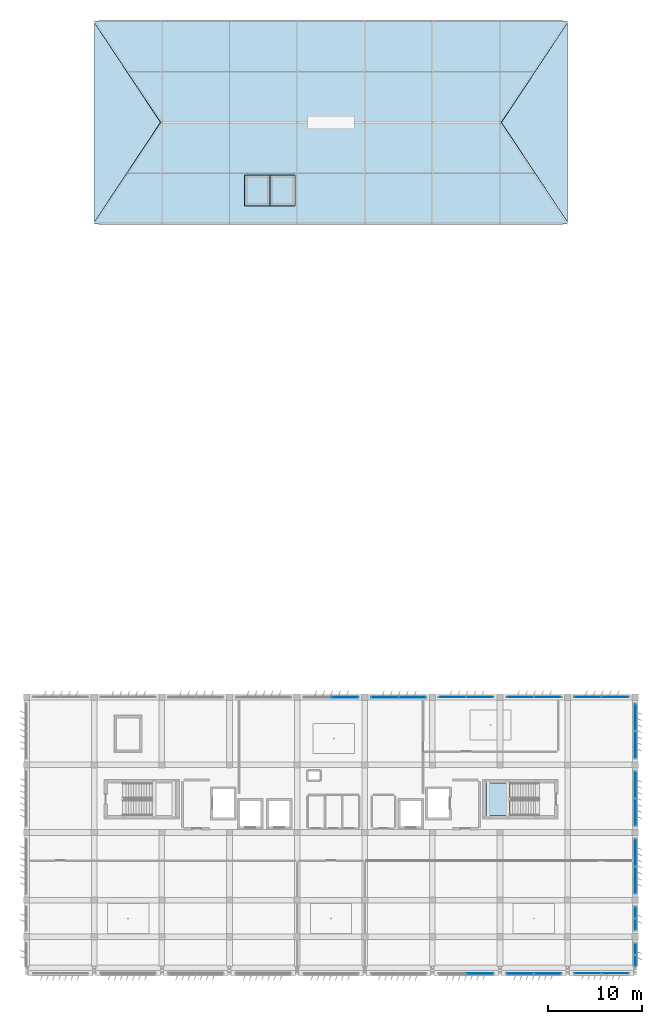
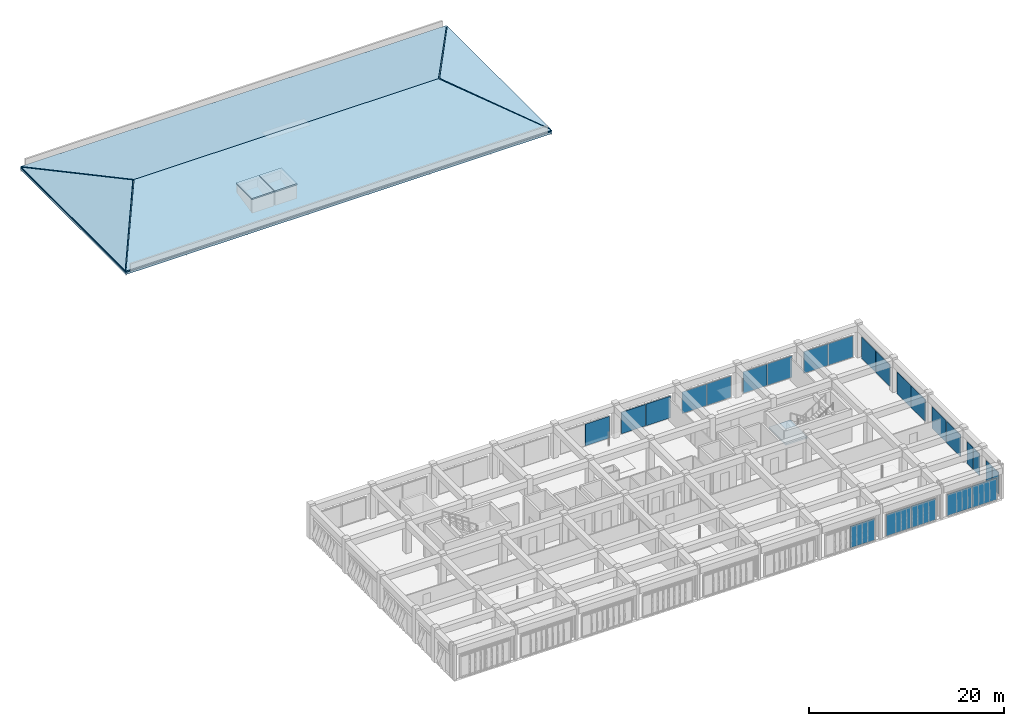
# One storey, part 32 of 53: 24 plates, 8 slabs, 14 elements without a shape of their own.
"""IFC4 building model written with IfcOpenShell, lengths in metres."""

from ifc_helpers import new_model, si_unit, direction, frame, origin, origin_2d, place, context, subcontext, project, spatial, polyline, rectangle, outline, extrude, material, layer, layer_set, type_object, element, aggregate, save


model = new_model("IFC4")

# Units and contexts
model_context = context("Model", 3, precision=1e-05, world=origin(), true_north=direction((0.0, 1.0)))
body_context = subcontext(model_context, "Body", "Model", "MODEL_VIEW")
ifc_project = project(units=[si_unit("LENGTHUNIT", "METRE"), si_unit("AREAUNIT", "SQUARE_METRE"), si_unit("VOLUMEUNIT", "CUBIC_METRE"), si_unit("PLANEANGLEUNIT", "RADIAN"), si_unit("MASSUNIT", "GRAM", prefix="KILO")], contexts=[model_context])

# Site, building, storey
site_placement = place(None, origin())
site = spatial("IfcSite", under=ifc_project, at=site_placement, CompositionType="ELEMENT")
building_placement = place(site_placement, origin())
building = spatial("IfcBuilding", under=site, at=building_placement, Name="Kazehaya Institute of Natural Sciences", CompositionType="ELEMENT")
storey_placement = place(building_placement, frame((0.0, 0.0, 33.300048828125)))
storey = spatial("IfcBuildingStorey", under=building, at=storey_placement, Name="L07", CompositionType="ELEMENT", Elevation=33.300048828125)

# Curtain wall, plates
ifc_material_1 = material(Name="Aluminium alloy A6063S-T5", Category="aluminium")
curtain_wall_type_1 = type_object("IfcCurtainWallType", Name="CW-SYS-05", PredefinedType="NOTDEFINED", material=ifc_material_1)
curtain_wall_1_placement = place(storey_placement, origin())
curtain_wall_1 = element("IfcCurtainWall", 1, at=curtain_wall_1_placement, inside=storey, type_object=curtain_wall_type_1, Name="L07 unitised curtain wall CW-L07-148", PredefinedType="NOTDEFINED")
ifc_material_2 = material(Name="Low-E double-glazed vision glass", Category="glass")
ifc_layer_1 = layer(ifc_material_2, 0.030029296875, Name="Low-E double-glazed vision glass", Category="glass")
ifc_layer_set_1 = layer_set([ifc_layer_1], Name="Low-E double-glazed vision glass")
plate_type_1 = type_object("IfcPlateType", Name="CWP-01", PredefinedType="CURTAIN_PANEL", material=ifc_layer_set_1)
plate_1_placement = place(storey_placement, frame((117.264892578125, 6.199951171875, 0.06005859375), z_axis=(0.0, 0.0, 1.0), x_axis=(-1.0, 0.0, 0.0)))
plate_1 = element("IfcPlate", 2, at=plate_1_placement, type_object=plate_type_1, Name="CW05 panel 1.1", PredefinedType="CURTAIN_PANEL", context=body_context, shape_type="SweptSolid", body=[
    extrude(rectangle(XDim=2.8701171875, YDim=0.030029296875, at=origin_2d()), origin(), (0.0, 0.0, 1.0), 2.699951171875),
])
plate_2_placement = place(storey_placement, frame((114.3349609375, 6.199951171875, 0.06005859375), z_axis=(0.0, 0.0, 1.0), x_axis=(-1.0, 0.0, 0.0)))
plate_2 = element("IfcPlate", 3, at=plate_2_placement, type_object=plate_type_1, Name="CW05 panel 2.1", PredefinedType="CURTAIN_PANEL", context=body_context, shape_type="SweptSolid", body=[
    extrude(rectangle(XDim=2.8701171875, YDim=0.030029296875, at=origin_2d()), origin(), (0.0, 0.0, 1.0), 2.699951171875),
])
aggregate(curtain_wall_1, [plate_1, plate_2])

curtain_wall_2_placement = place(storey_placement, origin())
curtain_wall_2 = element("IfcCurtainWall", 4, at=curtain_wall_2_placement, inside=storey, type_object=curtain_wall_type_1, Name="L07 unitised curtain wall CW-L07-163", PredefinedType="NOTDEFINED")
plate_3_placement = place(storey_placement, frame((99.93505859375, 35.60009765625, 0.06005859375), z_axis=(0.0, 0.0, 1.0), x_axis=(1.0, 0.0, 0.0)))
plate_3 = element("IfcPlate", 5, at=plate_3_placement, type_object=plate_type_1, Name="CW05 panel 1.1", PredefinedType="CURTAIN_PANEL", context=body_context, shape_type="SweptSolid", body=[
    extrude(rectangle(XDim=2.8701171875, YDim=0.030029296875, at=origin_2d()), origin(), (0.0, 0.0, 1.0), 2.699951171875),
])
plate_4_placement = place(storey_placement, frame((102.864990234375, 35.60009765625, 0.06005859375), z_axis=(0.0, 0.0, 1.0), x_axis=(1.0, 0.0, 0.0)))
plate_4 = element("IfcPlate", 6, at=plate_4_placement, type_object=plate_type_1, Name="CW05 panel 2.1", PredefinedType="CURTAIN_PANEL", context=body_context, shape_type="SweptSolid", body=[
    extrude(rectangle(XDim=2.8701171875, YDim=0.030029296875, at=origin_2d()), origin(), (0.0, 0.0, 1.0), 2.699951171875),
])
aggregate(curtain_wall_2, [plate_3, plate_4])

curtain_wall_3_placement = place(storey_placement, origin())
curtain_wall_3 = element("IfcCurtainWall", 7, at=curtain_wall_3_placement, inside=storey, type_object=curtain_wall_type_1, Name="L07 unitised curtain wall CW-L07-149", PredefinedType="NOTDEFINED")
ifc_layer_2 = layer(ifc_material_2, 0.0400390625, Name="Low-E double-glazed vision glass", Category="glass")
ifc_layer_set_2 = layer_set([ifc_layer_2], Name="Low-E double-glazed vision glass")
plate_type_2 = type_object("IfcPlateType", Name="CWP-02", PredefinedType="CURTAIN_PANEL", material=ifc_layer_set_2)
plate_5_placement = place(storey_placement, frame((110.06494140625, 6.199951171875, 0.06005859375), z_axis=(0.0, 0.0, 1.0), x_axis=(-1.0, 0.0, 0.0)))
plate_5 = element("IfcPlate", 8, at=plate_5_placement, type_object=plate_type_2, Name="CW05 panel 1.1", PredefinedType="CURTAIN_PANEL", context=body_context, shape_type="SweptSolid", body=[
    extrude(rectangle(XDim=2.8701171875, YDim=0.0400390625, at=origin_2d()), origin(), (0.0, 0.0, 1.0), 2.699951171875),
])
plate_6_placement = place(storey_placement, frame((107.135009765625, 6.199951171875, 0.06005859375), z_axis=(0.0, 0.0, 1.0), x_axis=(-1.0, 0.0, 0.0)))
plate_6 = element("IfcPlate", 9, at=plate_6_placement, type_object=plate_type_2, Name="CW05 panel 2.1", PredefinedType="CURTAIN_PANEL", context=body_context, shape_type="SweptSolid", body=[
    extrude(rectangle(XDim=2.8701171875, YDim=0.0400390625, at=origin_2d()), origin(), (0.0, 0.0, 1.0), 2.699951171875),
])
aggregate(curtain_wall_3, [plate_5, plate_6])

curtain_wall_4_placement = place(storey_placement, origin())
curtain_wall_4 = element("IfcCurtainWall", 10, at=curtain_wall_4_placement, inside=storey, type_object=curtain_wall_type_1, Name="L07 unitised curtain wall CW-L07-164", PredefinedType="NOTDEFINED")
plate_7_placement = place(storey_placement, frame((107.135009765625, 35.60009765625, 0.06005859375), z_axis=(0.0, 0.0, 1.0), x_axis=(1.0, 0.0, 0.0)))
plate_7 = element("IfcPlate", 11, at=plate_7_placement, type_object=plate_type_2, Name="CW05 panel 1.1", PredefinedType="CURTAIN_PANEL", context=body_context, shape_type="SweptSolid", body=[
    extrude(rectangle(XDim=2.8701171875, YDim=0.0400390625, at=origin_2d()), origin(), (0.0, 0.0, 1.0), 2.699951171875),
])
plate_8_placement = place(storey_placement, frame((110.06494140625, 35.60009765625, 0.06005859375), z_axis=(0.0, 0.0, 1.0), x_axis=(1.0, 0.0, 0.0)))
plate_8 = element("IfcPlate", 12, at=plate_8_placement, type_object=plate_type_2, Name="CW05 panel 2.1", PredefinedType="CURTAIN_PANEL", context=body_context, shape_type="SweptSolid", body=[
    extrude(rectangle(XDim=2.8701171875, YDim=0.0400390625, at=origin_2d()), origin(), (0.0, 0.0, 1.0), 2.699951171875),
])
aggregate(curtain_wall_4, [plate_7, plate_8])

# Curtain wall, plate
curtain_wall_5_placement = place(storey_placement, origin())
curtain_wall_5 = element("IfcCurtainWall", 13, at=curtain_wall_5_placement, inside=storey, type_object=curtain_wall_type_1, Name="L07 unitised curtain wall CW-L07-150", PredefinedType="NOTDEFINED")
ifc_layer_3 = layer(ifc_material_2, 0.050048828125, Name="Low-E double-glazed vision glass", Category="glass")
ifc_layer_set_3 = layer_set([ifc_layer_3], Name="Low-E double-glazed vision glass")
plate_type_3 = type_object("IfcPlateType", Name="CWP-03", PredefinedType="CURTAIN_PANEL", material=ifc_layer_set_3)
plate_9_placement = place(storey_placement, frame((102.864990234375, 6.199951171875, 0.06005859375), z_axis=(0.0, 0.0, 1.0), x_axis=(-1.0, 0.0, 0.0)))
plate_9 = element("IfcPlate", 14, at=plate_9_placement, type_object=plate_type_3, Name="CW05 panel 1.1", PredefinedType="CURTAIN_PANEL", context=body_context, shape_type="SweptSolid", body=[
    extrude(rectangle(XDim=2.8701171875, YDim=0.050048828125, at=origin_2d()), origin(), (0.0, 0.0, 1.0), 2.699951171875),
])
aggregate(curtain_wall_5, [plate_9])

# Curtain wall, plates
curtain_wall_6_placement = place(storey_placement, origin())
curtain_wall_6 = element("IfcCurtainWall", 15, at=curtain_wall_6_placement, inside=storey, type_object=curtain_wall_type_1, Name="L07 unitised curtain wall CW-L07-165", PredefinedType="NOTDEFINED")
plate_10_placement = place(storey_placement, frame((114.3349609375, 35.60009765625, 0.06005859375), z_axis=(0.0, 0.0, 1.0), x_axis=(1.0, 0.0, 0.0)))
plate_10 = element("IfcPlate", 16, at=plate_10_placement, type_object=plate_type_3, Name="CW05 panel 1.1", PredefinedType="CURTAIN_PANEL", context=body_context, shape_type="SweptSolid", body=[
    extrude(rectangle(XDim=2.8701171875, YDim=0.050048828125, at=origin_2d()), origin(), (0.0, 0.0, 1.0), 2.699951171875),
])
plate_11_placement = place(storey_placement, frame((117.264892578125, 35.60009765625, 0.06005859375), z_axis=(0.0, 0.0, 1.0), x_axis=(1.0, 0.0, 0.0)))
plate_11 = element("IfcPlate", 17, at=plate_11_placement, type_object=plate_type_3, Name="CW05 panel 2.1", PredefinedType="CURTAIN_PANEL", context=body_context, shape_type="SweptSolid", body=[
    extrude(rectangle(XDim=2.8701171875, YDim=0.050048828125, at=origin_2d()), origin(), (0.0, 0.0, 1.0), 2.699951171875),
])
aggregate(curtain_wall_6, [plate_10, plate_11])

curtain_wall_type_2 = type_object("IfcCurtainWallType", Name="CW-SYS-09", PredefinedType="NOTDEFINED", material=ifc_material_1)
curtain_wall_7_placement = place(storey_placement, origin())
curtain_wall_7 = element("IfcCurtainWall", 18, at=curtain_wall_7_placement, inside=storey, type_object=curtain_wall_type_2, Name="L07 unitised curtain wall CW-L07-167", PredefinedType="NOTDEFINED")
ifc_material_3 = material(Name="Insulated bronze aluminium spandrel panel", Category="aluminium")
ifc_layer_4 = layer(ifc_material_3, 0.080078125, Name="Insulated bronze aluminium spandrel panel", Category="aluminium")
ifc_layer_set_4 = layer_set([ifc_layer_4], Name="Insulated bronze aluminium spandrel panel")
plate_type_4 = type_object("IfcPlateType", Name="CWP-06", PredefinedType="CURTAIN_PANEL", material=ifc_layer_set_4)
plate_12_placement = place(storey_placement, frame((119.39990234375, 8.7900390625, 0.06005859375), z_axis=(0.0, 0.0, 1.0), x_axis=(0.0, -1.0, 0.0)))
plate_12 = element("IfcPlate", 19, at=plate_12_placement, type_object=plate_type_4, Name="CW09 panel 1.1", PredefinedType="CURTAIN_PANEL", context=body_context, shape_type="SweptSolid", body=[
    extrude(rectangle(XDim=1.219970703125, YDim=0.080078125, at=origin_2d()), origin(), (0.0, 0.0, 1.0), 2.699951171875),
])
plate_13_placement = place(storey_placement, frame((119.39990234375, 7.510009765625, 0.06005859375), z_axis=(0.0, 0.0, 1.0), x_axis=(0.0, -1.0, 0.0)))
plate_13 = element("IfcPlate", 20, at=plate_13_placement, type_object=plate_type_4, Name="CW09 panel 2.1", PredefinedType="CURTAIN_PANEL", context=body_context, shape_type="SweptSolid", body=[
    extrude(rectangle(XDim=1.219970703125, YDim=0.080078125, at=origin_2d()), origin(), (0.0, 0.0, 1.0), 2.699951171875),
])
aggregate(curtain_wall_7, [plate_12, plate_13])

curtain_wall_8_placement = place(storey_placement, origin())
curtain_wall_8 = element("IfcCurtainWall", 21, at=curtain_wall_8_placement, inside=storey, type_object=curtain_wall_type_2, Name="L07 unitised curtain wall CW-L07-169", PredefinedType="NOTDEFINED")
plate_14_placement = place(storey_placement, frame((119.39990234375, 12.68994140625, 0.06005859375), z_axis=(0.0, 0.0, 1.0), x_axis=(0.0, -1.0, 0.0)))
plate_14 = element("IfcPlate", 22, at=plate_14_placement, type_object=plate_type_4, Name="CW09 panel 1.1", PredefinedType="CURTAIN_PANEL", context=body_context, shape_type="SweptSolid", body=[
    extrude(rectangle(XDim=1.219970703125, YDim=0.080078125, at=origin_2d()), origin(), (0.0, 0.0, 1.0), 2.699951171875),
])
plate_15_placement = place(storey_placement, frame((119.39990234375, 11.409912109375, 0.06005859375), z_axis=(0.0, 0.0, 1.0), x_axis=(0.0, -1.0, 0.0)))
plate_15 = element("IfcPlate", 23, at=plate_15_placement, type_object=plate_type_4, Name="CW09 panel 2.1", PredefinedType="CURTAIN_PANEL", context=body_context, shape_type="SweptSolid", body=[
    extrude(rectangle(XDim=1.219970703125, YDim=0.080078125, at=origin_2d()), origin(), (0.0, 0.0, 1.0), 2.699951171875),
])
aggregate(curtain_wall_8, [plate_14, plate_15])

curtain_wall_type_3 = type_object("IfcCurtainWallType", Name="CW-SYS-10", PredefinedType="NOTDEFINED", material=ifc_material_1)
curtain_wall_9_placement = place(storey_placement, origin())
curtain_wall_9 = element("IfcCurtainWall", 24, at=curtain_wall_9_placement, inside=storey, type_object=curtain_wall_type_3, Name="L07 unitised curtain wall CW-L07-171", PredefinedType="NOTDEFINED")
plate_16_placement = place(storey_placement, frame((119.39990234375, 19.06494140625, 0.06005859375), z_axis=(0.0, 0.0, 1.0), x_axis=(0.0, -1.0, 0.0)))
plate_16 = element("IfcPlate", 25, at=plate_16_placement, type_object=plate_type_4, Name="CW10 panel 1.1", PredefinedType="CURTAIN_PANEL", context=body_context, shape_type="SweptSolid", body=[
    extrude(rectangle(XDim=2.8701171875, YDim=0.080078125, at=origin_2d()), origin(), (0.0, 0.0, 1.0), 2.699951171875),
])
plate_17_placement = place(storey_placement, frame((119.39990234375, 16.135009765625, 0.06005859375), z_axis=(0.0, 0.0, 1.0), x_axis=(0.0, -1.0, 0.0)))
plate_17 = element("IfcPlate", 26, at=plate_17_placement, type_object=plate_type_4, Name="CW10 panel 2.1", PredefinedType="CURTAIN_PANEL", context=body_context, shape_type="SweptSolid", body=[
    extrude(rectangle(XDim=2.8701171875, YDim=0.080078125, at=origin_2d()), origin(), (0.0, 0.0, 1.0), 2.699951171875),
])
aggregate(curtain_wall_9, [plate_16, plate_17])

curtain_wall_10_placement = place(storey_placement, origin())
curtain_wall_10 = element("IfcCurtainWall", 27, at=curtain_wall_10_placement, inside=storey, type_object=curtain_wall_type_3, Name="L07 unitised curtain wall CW-L07-173", PredefinedType="NOTDEFINED")
plate_18_placement = place(storey_placement, frame((119.39990234375, 26.264892578125, 0.06005859375), z_axis=(0.0, 0.0, 1.0), x_axis=(0.0, -1.0, 0.0)))
plate_18 = element("IfcPlate", 28, at=plate_18_placement, type_object=plate_type_4, Name="CW10 panel 1.1", PredefinedType="CURTAIN_PANEL", context=body_context, shape_type="SweptSolid", body=[
    extrude(rectangle(XDim=2.8701171875, YDim=0.080078125, at=origin_2d()), origin(), (0.0, 0.0, 1.0), 2.699951171875),
])
plate_19_placement = place(storey_placement, frame((119.39990234375, 23.3349609375, 0.06005859375), z_axis=(0.0, 0.0, 1.0), x_axis=(0.0, -1.0, 0.0)))
plate_19 = element("IfcPlate", 29, at=plate_19_placement, type_object=plate_type_4, Name="CW10 panel 2.1", PredefinedType="CURTAIN_PANEL", context=body_context, shape_type="SweptSolid", body=[
    extrude(rectangle(XDim=2.8701171875, YDim=0.080078125, at=origin_2d()), origin(), (0.0, 0.0, 1.0), 2.699951171875),
])
aggregate(curtain_wall_10, [plate_18, plate_19])

curtain_wall_11_placement = place(storey_placement, origin())
curtain_wall_11 = element("IfcCurtainWall", 30, at=curtain_wall_11_placement, inside=storey, type_object=curtain_wall_type_3, Name="L07 unitised curtain wall CW-L07-175", PredefinedType="NOTDEFINED")
plate_20_placement = place(storey_placement, frame((119.39990234375, 33.465087890625, 0.06005859375), z_axis=(0.0, 0.0, 1.0), x_axis=(0.0, -1.0, 0.0)))
plate_20 = element("IfcPlate", 31, at=plate_20_placement, type_object=plate_type_4, Name="CW10 panel 1.1", PredefinedType="CURTAIN_PANEL", context=body_context, shape_type="SweptSolid", body=[
    extrude(rectangle(XDim=2.8701171875, YDim=0.080078125, at=origin_2d()), origin(), (0.0, 0.0, 1.0), 2.699951171875),
])
plate_21_placement = place(storey_placement, frame((119.39990234375, 30.534912109375, 0.06005859375), z_axis=(0.0, 0.0, 1.0), x_axis=(0.0, -1.0, 0.0)))
plate_21 = element("IfcPlate", 32, at=plate_21_placement, type_object=plate_type_4, Name="CW10 panel 2.1", PredefinedType="CURTAIN_PANEL", context=body_context, shape_type="SweptSolid", body=[
    extrude(rectangle(XDim=2.8701171875, YDim=0.080078125, at=origin_2d()), origin(), (0.0, 0.0, 1.0), 2.699951171875),
])
aggregate(curtain_wall_11, [plate_20, plate_21])

# Curtain wall, plate
curtain_wall_12_placement = place(storey_placement, origin())
curtain_wall_12 = element("IfcCurtainWall", 33, at=curtain_wall_12_placement, inside=storey, type_object=curtain_wall_type_1, Name="L07 unitised curtain wall CW-L07-161", PredefinedType="NOTDEFINED")
ifc_layer_5 = layer(ifc_material_3, 0.090087890625, Name="Insulated bronze aluminium spandrel panel", Category="aluminium")
ifc_layer_set_5 = layer_set([ifc_layer_5], Name="Insulated bronze aluminium spandrel panel")
plate_type_5 = type_object("IfcPlateType", Name="CWP-07", PredefinedType="CURTAIN_PANEL", material=ifc_layer_set_5)
plate_22_placement = place(storey_placement, frame((88.465087890625, 35.60009765625, 0.06005859375), z_axis=(0.0, 0.0, 1.0), x_axis=(1.0, 0.0, 0.0)))
plate_22 = element("IfcPlate", 34, at=plate_22_placement, type_object=plate_type_5, Name="CW05 panel 2.1", PredefinedType="CURTAIN_PANEL", context=body_context, shape_type="SweptSolid", body=[
    extrude(rectangle(XDim=2.8701171875, YDim=0.090087890625, at=origin_2d()), origin(), (0.0, 0.0, 1.0), 2.699951171875),
])
aggregate(curtain_wall_12, [plate_22])

# Curtain wall, plates
curtain_wall_13_placement = place(storey_placement, origin())
curtain_wall_13 = element("IfcCurtainWall", 35, at=curtain_wall_13_placement, inside=storey, type_object=curtain_wall_type_1, Name="L07 unitised curtain wall CW-L07-162", PredefinedType="NOTDEFINED")
ifc_layer_6 = layer(ifc_material_3, 0.10009765625, Name="Insulated bronze aluminium spandrel panel", Category="aluminium")
ifc_layer_set_6 = layer_set([ifc_layer_6], Name="Insulated bronze aluminium spandrel panel")
plate_type_6 = type_object("IfcPlateType", Name="CWP-08", PredefinedType="CURTAIN_PANEL", material=ifc_layer_set_6)
plate_23_placement = place(storey_placement, frame((92.735107421875, 35.60009765625, 0.06005859375), z_axis=(0.0, 0.0, 1.0), x_axis=(1.0, 0.0, 0.0)))
plate_23 = element("IfcPlate", 36, at=plate_23_placement, type_object=plate_type_6, Name="CW05 panel 1.1", PredefinedType="CURTAIN_PANEL", context=body_context, shape_type="SweptSolid", body=[
    extrude(rectangle(XDim=2.8701171875, YDim=0.10009765625, at=origin_2d()), origin(), (0.0, 0.0, 1.0), 2.699951171875),
])
plate_24_placement = place(storey_placement, frame((95.6650390625, 35.60009765625, 0.06005859375), z_axis=(0.0, 0.0, 1.0), x_axis=(1.0, 0.0, 0.0)))
plate_24 = element("IfcPlate", 37, at=plate_24_placement, type_object=plate_type_6, Name="CW05 panel 2.1", PredefinedType="CURTAIN_PANEL", context=body_context, shape_type="SweptSolid", body=[
    extrude(rectangle(XDim=2.8701171875, YDim=0.10009765625, at=origin_2d()), origin(), (0.0, 0.0, 1.0), 2.699951171875),
])
aggregate(curtain_wall_13, [plate_23, plate_24])

# Stair, slab
ifc_material_4 = material(Name="Concrete Fc36", Category="concrete")
stair_type = type_object("IfcStairType", Name="STR-DOG-4320", PredefinedType="HALF_TURN_STAIR", material=ifc_material_4)
stair_placement = place(storey_placement, origin())
stair = element("IfcStair", 38, at=stair_placement, inside=storey, type_object=stair_type, Name="L07 Protected Escape Stair ST-2", PredefinedType="HALF_TURN_STAIR")
ifc_layer_7 = layer(ifc_material_4, 0.159912109375, Name="Concrete Fc36", Category="concrete")
ifc_layer_set_7 = layer_set([ifc_layer_7], Name="Concrete Fc36")
slab_type_1 = type_object("IfcSlabType", Name="SL-LND-160", PredefinedType="LANDING", material=ifc_layer_set_7)
slab_1_placement = place(storey_placement, frame((0.0, 0.0, 1.9599609375)))
slab_1 = element("IfcSlab", 39, at=slab_1_placement, type_object=slab_type_1, Name="ST-2 landing 1", PredefinedType="LANDING", context=body_context, shape_type="SweptSolid", body=[
    extrude(outline(polyline([(106.06005859375, 26.47998046875), (103.5, 26.47998046875), (103.5, 23.0), (106.06005859375, 23.0), (106.06005859375, 26.47998046875)])), origin(), (0.0, 0.0, 1.0), 0.199951171875),
])
aggregate(stair, [slab_1])

# Slabs
ifc_layer_8 = layer(ifc_material_4, 0.169921875, Name="Concrete Fc36", Category="concrete")
ifc_layer_set_8 = layer_set([ifc_layer_8], Name="Concrete Fc36")
slab_type_2 = type_object("IfcSlabType", Name="SL-ROF-170", PredefinedType="ROOF", material=ifc_layer_set_8)
for number, where, z_axis, x_axis, name in (
    (40, (61.800048828125, 86.0, 0.169921875), (0.0, -0.216437367496, 0.976296505141), (1.0, 0.0, 0.0), "ROOF-VOL5 south pitched roof slab"),
    (41, (112.199951171875, 107.60009765625, 0.169921875), (0.0, 0.216437367496, 0.976296505141), (-1.0, 0.0, 0.0), "ROOF-VOL5 north pitched roof slab"),
):
    element("IfcSlab", number, at=place(storey_placement, frame(where, z_axis=z_axis, x_axis=x_axis)), inside=storey, type_object=slab_type_2, Name=name, PredefinedType="ROOF", context=body_context, shape_type="SweptSolid", body=[
        extrude(outline(polyline([(0.0, 0.0), (50.39990234375, 0.0), (43.199951171875, 11.06226312523814), (7.199951171875, 11.06226312523814), (0.0, 0.0)])), origin(), (0.0, 0.0, -1.0), 0.169921875),
    ])
slab_2_placement = place(storey_placement, frame((61.800048828125, 107.43994140625, 0.169921875), z_axis=(-0.321983958722, 0.0, 0.946745124268), x_axis=(0.0, -1.0, 0.0)))
element("IfcSlab", 42, at=slab_2_placement, inside=storey, type_object=slab_type_2, Name="ROOF-VOL5 west hip pitched roof slab", PredefinedType="ROOF", context=body_context, shape_type="SweptSolid", body=[
    extrude(outline(polyline([(0.0, 0.0), (21.280029296875, 0.0), (10.639892578125, 7.436044698873533), (0.0, 0.0)])), origin(), (0.0, 0.0, -1.0), 0.169921875),
])
slab_3_placement = place(storey_placement, frame((112.199951171875, 86.159912109375, 0.169921875), z_axis=(0.321983958722, 0.0, 0.946745124268), x_axis=(0.0, 1.0, 0.0)))
element("IfcSlab", 43, at=slab_3_placement, inside=storey, type_object=slab_type_2, Name="ROOF-VOL5 east hip pitched roof slab", PredefinedType="ROOF", context=body_context, shape_type="SweptSolid", body=[
    extrude(outline(polyline([(0.0, 0.0), (21.280029296875, 0.0), (10.64013671875, 7.436044698873533), (0.0, 0.0)])), origin(), (0.0, 0.0, -1.0), 0.169921875),
])
ifc_layer_9 = layer(ifc_material_4, 0.179931640625, Name="Concrete Fc36", Category="concrete")
ifc_layer_set_9 = layer_set([ifc_layer_9], Name="Concrete Fc36")
slab_type_3 = type_object("IfcSlabType", Name="SL-ROF-180", PredefinedType="ROOF", material=ifc_layer_set_9)
slab_4_placement = place(storey_placement, frame((0.0, 0.0, 2.300048828125)))
element("IfcSlab", 44, at=slab_4_placement, inside=storey, type_object=slab_type_3, Name="L07 EL04 lift overrun roof cap", PredefinedType="ROOF", context=body_context, shape_type="SweptSolid", body=[
    extrude(outline(polyline([(77.81494140625, 87.9150390625), (80.485107421875, 87.9150390625), (80.485107421875, 91.18505859375), (77.81494140625, 91.18505859375), (77.81494140625, 87.9150390625)])), origin(), (0.0, 0.0, 1.0), 0.179931640625),
])
slab_5_placement = place(storey_placement, frame((0.0, 0.0, 2.300048828125)))
element("IfcSlab", 45, at=slab_5_placement, inside=storey, type_object=slab_type_3, Name="L07 EL05 lift overrun roof cap", PredefinedType="ROOF", context=body_context, shape_type="SweptSolid", body=[
    extrude(outline(polyline([(80.514892578125, 87.9150390625), (83.18505859375, 87.9150390625), (83.18505859375, 91.18505859375), (80.514892578125, 91.18505859375), (80.514892578125, 87.9150390625)])), origin(), (0.0, 0.0, 1.0), 0.179931640625),
])
ifc_layer_10 = layer(ifc_material_4, 0.27490234375, Name="Concrete Fc36", Category="concrete")
ifc_layer_set_10 = layer_set([ifc_layer_10], Name="Concrete Fc36")
slab_type_4 = type_object("IfcSlabType", Name="SL-ROF-275", PredefinedType="ROOF", material=ifc_layer_set_10)
slab_6_placement = place(storey_placement, frame((0.0, 0.0, -0.275146484375)))
element("IfcSlab", 46, at=slab_6_placement, inside=storey, type_object=slab_type_4, Name="L07 Vol 5 roof structural deck SLAB-ROOF-VOL5-DECK", PredefinedType="ROOF", context=body_context, shape_type="SweptSolid", body=[
    extrude(outline(polyline([(61.800048828125, 86.0), (112.199951171875, 86.0), (112.199951171875, 107.60009765625), (61.800048828125, 107.60009765625), (61.800048828125, 86.0)]), holes=[polyline([(78.10009765625, 88.199951171875), (80.199951171875, 88.199951171875), (80.199951171875, 90.89990234375), (78.10009765625, 90.89990234375), (78.10009765625, 88.199951171875)]), polyline([(80.800048828125, 88.199951171875), (82.89990234375, 88.199951171875), (82.89990234375, 90.89990234375), (80.800048828125, 90.89990234375), (80.800048828125, 88.199951171875)])]), origin(), (0.0, 0.0, 1.0), 0.275146484375),
])

save(model, "model.ifc")
